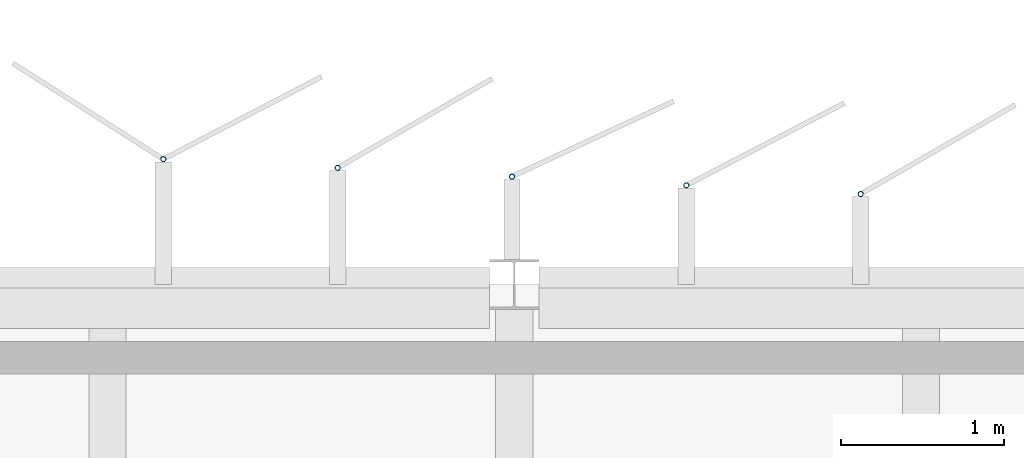
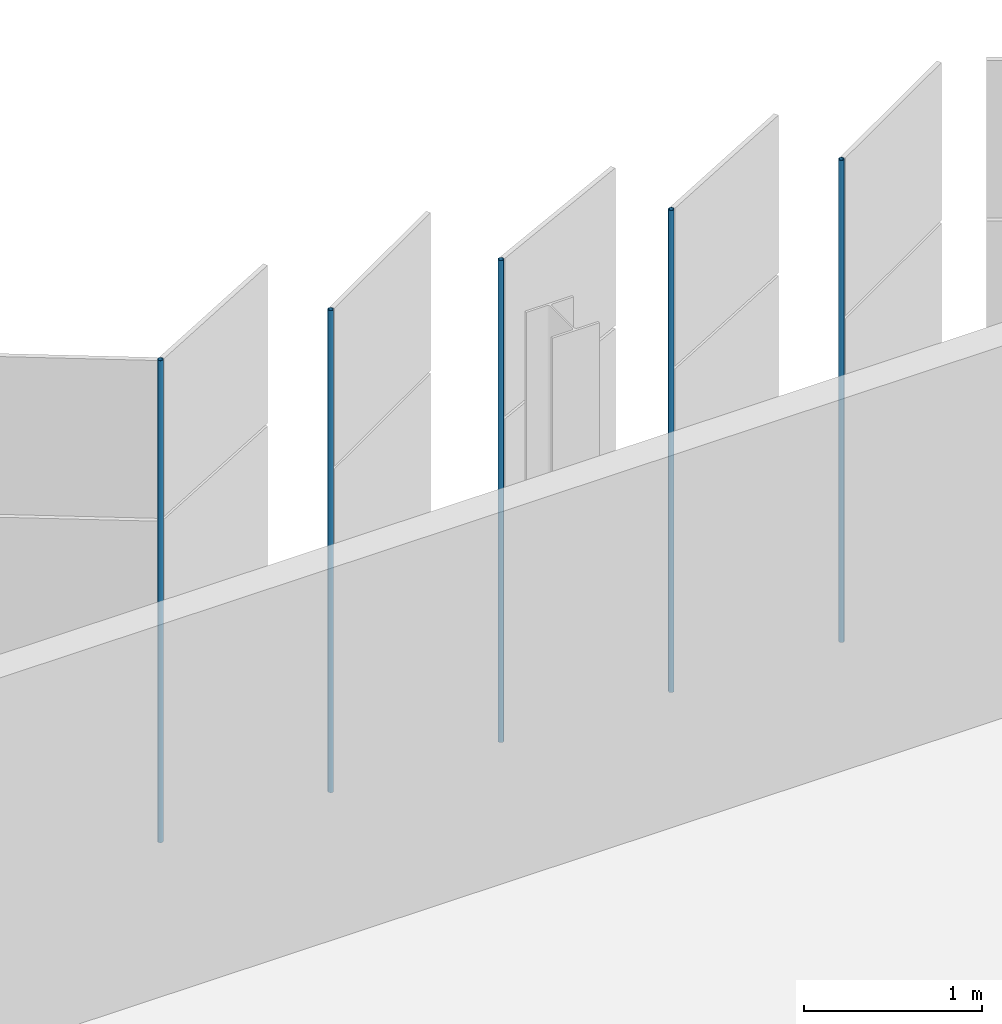
# One storey, part 135 of 199: 5 discrete accessories.
"""IFC4 building model written with IfcOpenShell, lengths in metres."""

from ifc_helpers import new_model, si_unit, direction, frame, origin, origin_2d, place, context, subcontext, project, spatial, hollow_circle, extrude, material, material_profile, profile_set, type_object, element, save


model = new_model("IFC4")

# Units and contexts
model_context = context("Model", 3, precision=1e-05, world=origin(), true_north=direction((0.0, 1.0)))
body_context = subcontext(model_context, "Body", "Model", "MODEL_VIEW")
ifc_project = project(units=[si_unit("LENGTHUNIT", "METRE"), si_unit("AREAUNIT", "SQUARE_METRE"), si_unit("VOLUMEUNIT", "CUBIC_METRE"), si_unit("PLANEANGLEUNIT", "RADIAN"), si_unit("MASSUNIT", "GRAM", prefix="KILO")], contexts=[model_context])

# Site, building, storey
site_placement = place(None, origin())
site = spatial("IfcSite", under=ifc_project, at=site_placement, CompositionType="ELEMENT")
building_placement = place(site_placement, origin())
building = spatial("IfcBuilding", under=site, at=building_placement, Name="Parallax Yard Mobility Hub", CompositionType="ELEMENT")
storey_placement = place(building_placement, frame((0.0, 0.0, 9.89990234375)))
storey = spatial("IfcBuildingStorey", under=building, at=storey_placement, Name="L03", CompositionType="ELEMENT", Elevation=9.89990234375)

# Discrete accessories
ifc_material = material(Name="Steel ASTM A500 Gr C, hot-dip galvanised", Category="steel")
ifc_material_profile = material_profile(ifc_material, hollow_circle(Radius=0.016845703125, WallThickness=0.003173828125, at=origin_2d()), Name="CHS 33.7x3.2")
ifc_profile_set = profile_set([ifc_material_profile], Name="Steel ASTM A500 Gr C, hot-dip galvanised")
discrete_accessory_type = type_object("IfcDiscreteAccessoryType", Name="Hinge post CHS 33.7x3.2", PredefinedType="BRACKET", material=ifc_profile_set)
for number, where, z_axis, x_axis, name in (
    (1, (39.62890625, 143.055419921875, 0.0), (0.0, 0.0, 1.0), (1.0, 0.0, 0.0), "Hinge post bay 68.6 level L03"),
    (2, (38.557373046875, 143.10888671875, 0.0), (0.0, 0.0, 1.0), (1.0, 0.0, 0.0), "Hinge post bay 68.7 level L03"),
    (3, (37.48583984375, 143.16259765625, 0.0), (0.0, 0.0, 1.0), (1.0, 0.0, 0.0), "Hinge post bay 69.1 level L03"),
    (4, (36.414306640625, 143.216064453125, 0.0), (0.0, 0.0, 1.0), (1.0, 0.0, 0.0), "Hinge post bay 69.2 level L03"),
    (5, (35.3427734375, 143.269775390625, 0.0), (0.0, 0.0, 1.0), (1.0, 0.0, 0.0), "Hinge post bay 69.3 level L03"),
):
    element("IfcDiscreteAccessory", number, at=place(storey_placement, frame(where, z_axis=z_axis, x_axis=x_axis)), inside=storey, type_object=discrete_accessory_type, Name=name, PredefinedType="BRACKET", context=body_context, shape_type="SweptSolid", body=[
        extrude(hollow_circle(Radius=0.016845703125, WallThickness=0.003173828125, at=origin_2d()), origin(), (0.0, 0.0, 1.0), 3.300048828125),
    ])

save(model, "model.ifc")
